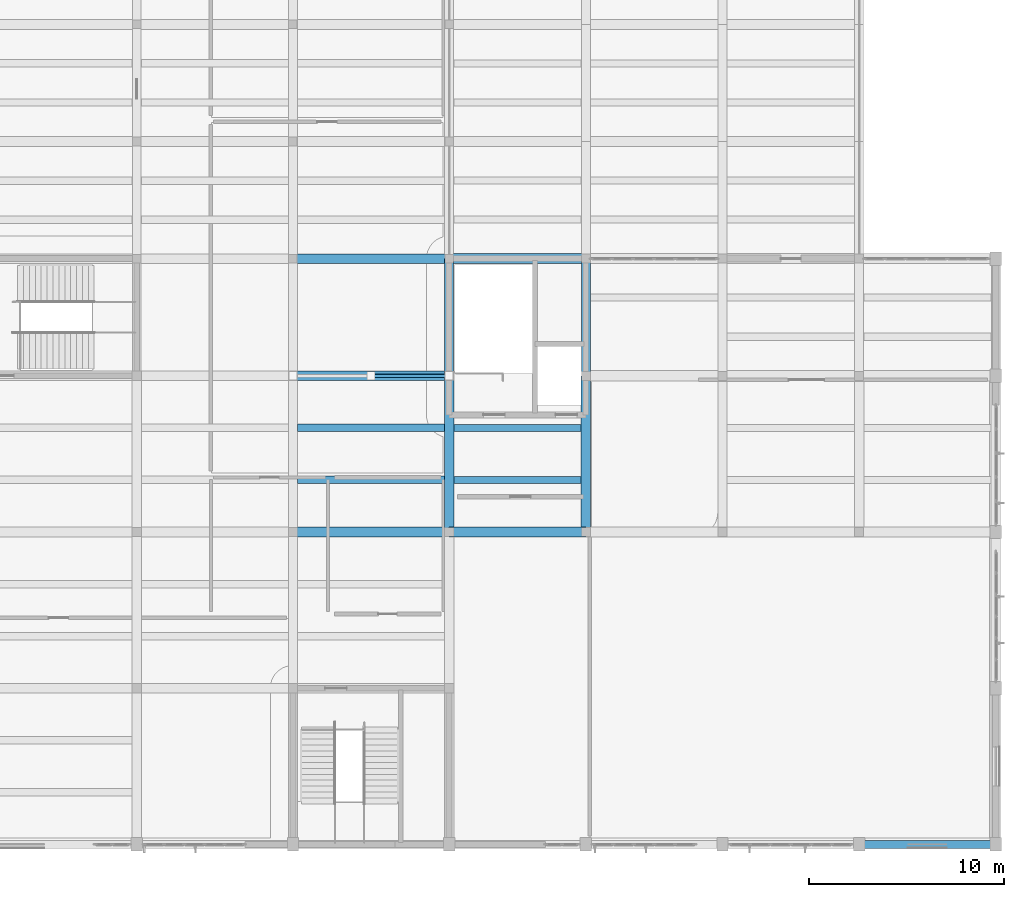
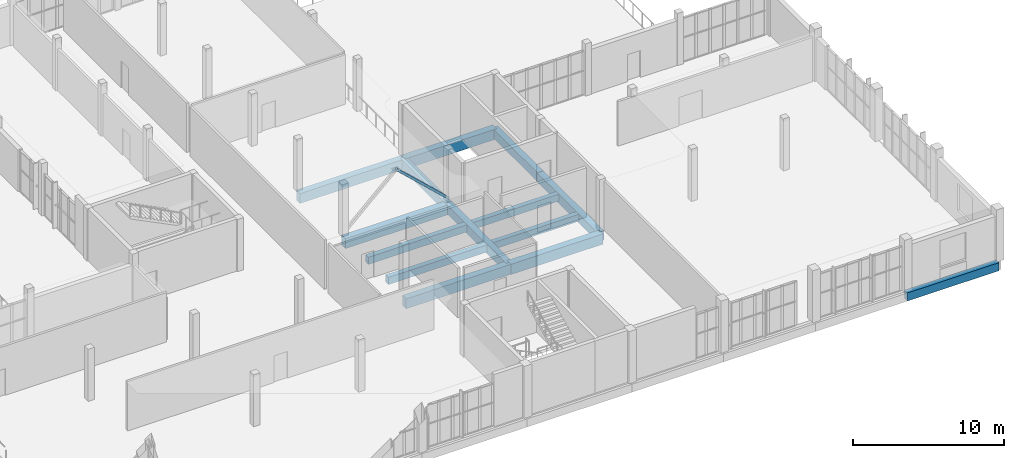
# One storey, part 32 of 70: 14 beams, 1 member.
"""IFC4 building model written with IfcOpenShell, lengths in metres."""

from ifc_helpers import new_model, si_unit, direction, frame, origin, origin_2d, place, context, subcontext, project, spatial, rectangle, hollow_rectangle, extrude, material, material_profile, profile_set, type_object, element, save


model = new_model("IFC4")

# Units and contexts
model_context = context("Model", 3, precision=1e-05, world=origin(), true_north=direction((0.0, 1.0)))
body_context = subcontext(model_context, "Body", "Model", "MODEL_VIEW")
ifc_project = project(units=[si_unit("LENGTHUNIT", "METRE"), si_unit("AREAUNIT", "SQUARE_METRE"), si_unit("VOLUMEUNIT", "CUBIC_METRE"), si_unit("PLANEANGLEUNIT", "RADIAN"), si_unit("MASSUNIT", "GRAM", prefix="KILO")], contexts=[model_context])

# Site, building, storey
site_placement = place(None, origin())
site = spatial("IfcSite", under=ifc_project, at=site_placement, CompositionType="ELEMENT")
building_placement = place(site_placement, origin())
building = spatial("IfcBuilding", under=site, at=building_placement, Name="Solvane Community Centre", CompositionType="ELEMENT")
storey_placement = place(building_placement, frame((0.0, 0.0, 9.60009765625)))
storey = spatial("IfcBuildingStorey", under=building, at=storey_placement, Name="L02", CompositionType="ELEMENT", Elevation=9.60009765625)

# Beams
ifc_material_1 = material(Name="Concrete C35/45", Category="concrete")
ifc_material_profile_1 = material_profile(ifc_material_1, rectangle(XDim=0.47998046875, YDim=0.739990234375, at=origin_2d()), Name="RC 480x740")
ifc_profile_set_1 = profile_set([ifc_material_profile_1], Name="Concrete C35/45")
beam_type_1 = type_object("IfcBeamType", Name="RC Bay Beam 480x740", PredefinedType="BEAM", material=ifc_profile_set_1)
for number, where, z_axis, x_axis, name in (
    (1, (140.0, 22.0, -0.590087890625), (0.0, 1.0, 0.0), (-1.0, 0.0, 0.0), "Beam BM-L02-1400_220-1400_300"),
    (2, (147.0, 22.0, -0.590087890625), (0.0, 1.0, 0.0), (-1.0, 0.0, 0.0), "Beam BM-L02-1470_220-1470_300"),
):
    element("IfcBeam", number, at=place(storey_placement, frame(where, z_axis=z_axis, x_axis=x_axis)), inside=storey, type_object=beam_type_1, Name=name, PredefinedType="BEAM", context=body_context, shape_type="SweptSolid", body=[
        extrude(rectangle(XDim=0.47998046875, YDim=0.739990234375, at=origin_2d()), origin(), (0.0, 0.0, 1.0), 8.0),
    ])
ifc_material_profile_2 = material_profile(ifc_material_1, rectangle(XDim=0.4599609375, YDim=0.719970703125, at=origin_2d()), Name="RC 460x720")
ifc_profile_set_2 = profile_set([ifc_material_profile_2], Name="Concrete C35/45")
beam_type_2 = type_object("IfcBeamType", Name="RC Cloister Beam 460x720", PredefinedType="BEAM", material=ifc_profile_set_2)
for number, where, z_axis, x_axis, name in (
    (3, (140.0, 30.0, -0.580078125), (0.0, 1.0, 0.0), (-1.0, 0.0, 0.0), "Beam BM-L02-1400_300-1400_360"),
    (4, (147.0, 30.0, -0.580078125), (0.0, 1.0, 0.0), (-1.0, 0.0, 0.0), "Beam BM-L02-1470_300-1470_360"),
):
    element("IfcBeam", number, at=place(storey_placement, frame(where, z_axis=z_axis, x_axis=x_axis)), inside=storey, type_object=beam_type_2, Name=name, PredefinedType="BEAM", context=body_context, shape_type="SweptSolid", body=[
        extrude(rectangle(XDim=0.4599609375, YDim=0.719970703125, at=origin_2d()), origin(), (0.0, 0.0, 1.0), 6.0),
    ])
ifc_material_profile_3 = material_profile(ifc_material_1, rectangle(XDim=0.52001953125, YDim=0.830078125, at=origin_2d()), Name="RC 520x830")
ifc_profile_set_3 = profile_set([ifc_material_profile_3], Name="Concrete C35/45")
beam_type_3 = type_object("IfcBeamType", Name="RC Medium Girder 520x830", PredefinedType="USERDEFINED", material=ifc_profile_set_3)
for number, where, z_axis, x_axis, name in (
    (5, (140.0, 22.0, -0.635009765625), (1.0, 0.0, 0.0), (0.0, 1.0, 0.0), "Beam BM-L02-1400_220-1470_220"),
    (6, (140.0, 36.0, -0.635009765625), (1.0, 0.0, 0.0), (0.0, 1.0, 0.0), "Beam BM-L02-1400_360-1470_360"),
):
    element("IfcBeam", number, at=place(storey_placement, frame(where, z_axis=z_axis, x_axis=x_axis)), inside=storey, type_object=beam_type_3, Name=name, ObjectType="GIRDER", PredefinedType="USERDEFINED", context=body_context, shape_type="SweptSolid", body=[
        extrude(rectangle(XDim=0.52001953125, YDim=0.830078125, at=origin_2d()), origin(), (0.0, 0.0, 1.0), 7.0),
    ])
ifc_material_profile_4 = material_profile(ifc_material_1, rectangle(XDim=0.5, YDim=0.800048828125, at=origin_2d()), Name="RC 500x800")
ifc_profile_set_4 = profile_set([ifc_material_profile_4], Name="Concrete C35/45")
beam_type_4 = type_object("IfcBeamType", Name="RC Primary Girder 500x800", PredefinedType="USERDEFINED", material=ifc_profile_set_4)
for number, where, z_axis, x_axis, name in (
    (7, (132.0, 22.0, -0.6201171875), (1.0, 0.0, 0.0), (0.0, 1.0, 0.0), "Beam BM-L02-1320_220-1400_220"),
    (8, (132.0, 30.0, -0.6201171875), (1.0, 0.0, 0.0), (0.0, 1.0, 0.0), "Beam BM-L02-1320_300-1400_300"),
    (9, (132.0, 36.0, -0.6201171875), (1.0, 0.0, 0.0), (0.0, 1.0, 0.0), "Beam BM-L02-1320_360-1400_360"),
):
    element("IfcBeam", number, at=place(storey_placement, frame(where, z_axis=z_axis, x_axis=x_axis)), inside=storey, type_object=beam_type_4, Name=name, ObjectType="GIRDER", PredefinedType="USERDEFINED", context=body_context, shape_type="SweptSolid", body=[
        extrude(rectangle(XDim=0.5, YDim=0.800048828125, at=origin_2d()), origin(), (0.0, 0.0, 1.0), 8.0),
    ])
ifc_material_profile_5 = material_profile(ifc_material_1, rectangle(XDim=0.3798828125, YDim=0.580078125, at=origin_2d()), Name="RC 380x580")
ifc_profile_set_5 = profile_set([ifc_material_profile_5], Name="Concrete C35/45")
beam_type_5 = type_object("IfcBeamType", Name="RC Short Joist 380x580", PredefinedType="JOIST", material=ifc_profile_set_5)
for number, where, z_axis, x_axis, name in (
    (10, (132.239990234375, 24.666748046875, -0.510009765625), (1.0, 0.0, 0.0), (0.0, 1.0, 0.0), "Beam BM-L02-1322_247-1398_247"),
    (11, (132.239990234375, 27.333251953125, -0.510009765625), (1.0, 0.0, 0.0), (0.0, 1.0, 0.0), "Beam BM-L02-1322_273-1398_273"),
):
    element("IfcBeam", number, at=place(storey_placement, frame(where, z_axis=z_axis, x_axis=x_axis)), inside=storey, type_object=beam_type_5, Name=name, PredefinedType="JOIST", context=body_context, shape_type="SweptSolid", body=[
        extrude(rectangle(XDim=0.3798828125, YDim=0.580078125, at=origin_2d()), origin(), (0.0, 0.0, 1.0), 7.52001953125),
    ])
ifc_material_profile_6 = material_profile(ifc_material_1, rectangle(XDim=0.39990234375, YDim=0.64990234375, at=origin_2d()), Name="RC 400x650")
ifc_profile_set_6 = profile_set([ifc_material_profile_6], Name="Concrete C35/45")
beam_type_6 = type_object("IfcBeamType", Name="RC Spandrel Edge Beam 400x650", PredefinedType="SPANDREL", material=ifc_profile_set_6)
beam_placement = place(storey_placement, frame((161.0, 6.0, -0.545166015625), z_axis=(1.0, 0.0, 0.0), x_axis=(0.0, 1.0, 0.0)))
element("IfcBeam", 12, at=beam_placement, inside=storey, type_object=beam_type_6, Name="Beam BM-L02-1610_60-1680_60", PredefinedType="SPANDREL", context=body_context, shape_type="SweptSolid", body=[
    extrude(rectangle(XDim=0.39990234375, YDim=0.64990234375, at=origin_2d()), origin(), (0.0, 0.0, 1.0), 7.0),
])
ifc_material_profile_7 = material_profile(ifc_material_1, rectangle(XDim=0.360107421875, YDim=0.56005859375, at=origin_2d()), Name="RC 360x560")
ifc_profile_set_7 = profile_set([ifc_material_profile_7], Name="Concrete C35/45")
beam_type_7 = type_object("IfcBeamType", Name="RC Terrace Joist 360x560", PredefinedType="JOIST", material=ifc_profile_set_7)
for number, where, z_axis, x_axis, name in (
    (13, (140.239990234375, 24.666748046875, -0.5), (1.0, 0.0, 0.0), (0.0, 1.0, 0.0), "Beam BM-L02-1402_247-1468_247"),
    (14, (140.239990234375, 27.333251953125, -0.5), (1.0, 0.0, 0.0), (0.0, 1.0, 0.0), "Beam BM-L02-1402_273-1468_273"),
):
    element("IfcBeam", number, at=place(storey_placement, frame(where, z_axis=z_axis, x_axis=x_axis)), inside=storey, type_object=beam_type_7, Name=name, PredefinedType="JOIST", context=body_context, shape_type="SweptSolid", body=[
        extrude(rectangle(XDim=0.360107421875, YDim=0.56005859375, at=origin_2d()), origin(), (0.0, 0.0, 1.0), 6.52001953125),
    ])

# Member
ifc_material_2 = material(Name="Steel ASTM A572 Grade 50", Category="steel")
ifc_material_profile_8 = material_profile(ifc_material_2, hollow_rectangle(XDim=0.177734375, YDim=0.177734375, WallThickness=0.009521484375, InnerFilletRadius=0.009521484375, OuterFilletRadius=0.01904296875, at=origin_2d()), Name="HSS 178x178x9.5")
ifc_profile_set_8 = profile_set([ifc_material_profile_8], Name="Steel ASTM A572 Grade 50")
member_type = type_object("IfcMemberType", Name="Upper Timber Frame Brace HSS178", PredefinedType="BRACE", material=ifc_profile_set_8)
member_placement = place(storey_placement, frame((140.0, 30.0, 0.119873046875), z_axis=(-0.730448607788, 0.0, 0.68296766496), x_axis=(0.0, -1.0, 0.0)))
element("IfcMember", 15, at=member_placement, inside=storey, type_object=member_type, Name="Member MEM-L02-0385", PredefinedType="BRACE", context=body_context, shape_type="SweptSolid", body=[
    extrude(hollow_rectangle(XDim=0.177734375, YDim=0.177734375, WallThickness=0.009521484375, InnerFilletRadius=0.009521484375, OuterFilletRadius=0.01904296875, at=origin_2d()), origin(), (0.0, 0.0, 1.0), 5.47607421875),
])

save(model, "model.ifc")
